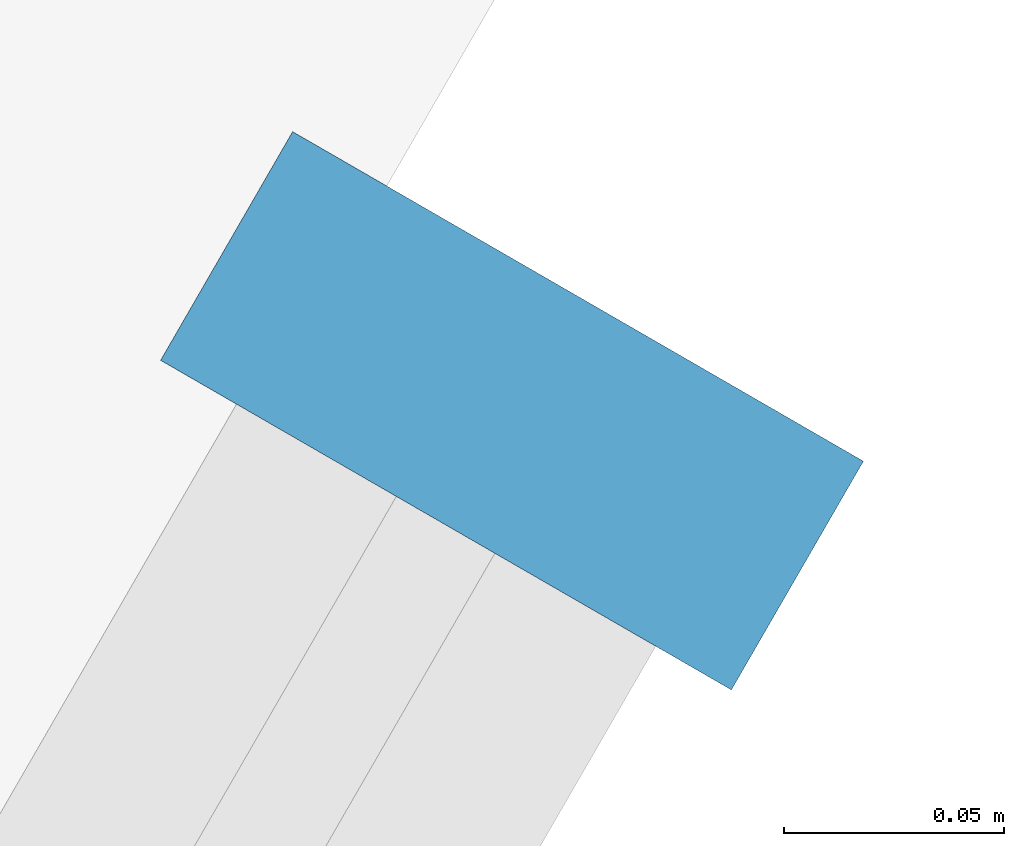
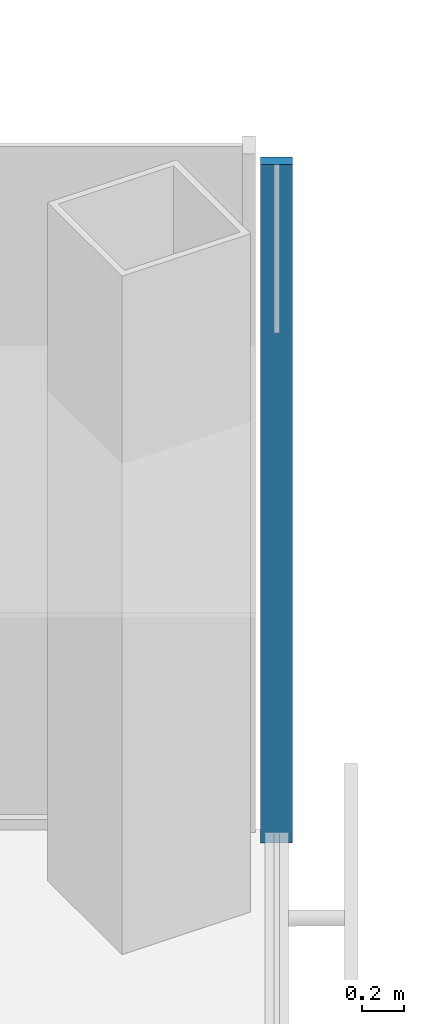
# One storey, part 9 of 18: 1 member, 1 element without a shape of its own.
"""IFC4 building model written with IfcOpenShell, lengths in metres."""

from ifc_helpers import new_model, si_unit, direction, frame, origin, origin_2d, place, context, subcontext, project, spatial, rectangle, extrude, material, material_profile, profile_set, type_object, element, aggregate, save


model = new_model("IFC4")

# Units and contexts
model_context = context("Model", 3, precision=1e-05, world=origin(), true_north=direction((0.0, 1.0)))
body_context = subcontext(model_context, "Body", "Model", "MODEL_VIEW")
ifc_project = project(units=[si_unit("LENGTHUNIT", "METRE"), si_unit("AREAUNIT", "SQUARE_METRE"), si_unit("VOLUMEUNIT", "CUBIC_METRE"), si_unit("PLANEANGLEUNIT", "RADIAN"), si_unit("MASSUNIT", "GRAM", prefix="KILO")], contexts=[model_context])

# Site, building, storey
site_placement = place(None, origin())
site = spatial("IfcSite", under=ifc_project, at=site_placement, CompositionType="ELEMENT")
building_placement = place(site_placement, origin())
building = spatial("IfcBuilding", under=site, at=building_placement, Name="Kasaneha Research Tower", CompositionType="ELEMENT")
storey_placement = place(building_placement, frame((0.0, 0.0, 148.699951171875)))
storey = spatial("IfcBuildingStorey", under=building, at=storey_placement, Name="L37", CompositionType="ELEMENT", Elevation=148.699951171875)

# Curtain wall, member
ifc_material_1 = material(Name="Glass and aluminium", Category="aluminium")
curtain_wall_type = type_object("IfcCurtainWallType", Name="Mid-rise office curtain wall", PredefinedType="USERDEFINED", material=ifc_material_1)
curtain_wall_placement = place(storey_placement, origin())
curtain_wall = element("IfcCurtainWall", 1, at=curtain_wall_placement, inside=storey, type_object=curtain_wall_type, Name="CW-O2 L37 run 04a", ObjectType="UNITISED CURTAIN WALL", PredefinedType="USERDEFINED")
ifc_material_2 = material(Name="Aluminium 6063-T6", Category="aluminium")
ifc_material_profile = material_profile(ifc_material_2, rectangle(XDim=0.06005859375, YDim=0.14990234375, at=origin_2d()), Name="CW-O2 mullion 60x150")
ifc_profile_set = profile_set([ifc_material_profile], Name="Aluminium 6063-T6")
member_type = type_object("IfcMemberType", Name="CW-O2 mullion", PredefinedType="MULLION", material=ifc_profile_set)
member_placement = place(storey_placement, frame((32.012939453125, -6.39306640625, 0.0), z_axis=(0.0, 0.0, 1.0), x_axis=(0.500000011442, 0.866025397178, 0.0)))
member = element("IfcMember", 2, at=member_placement, type_object=member_type, Name="CW-O2 mullion 4", PredefinedType="MULLION", context=body_context, shape_type="SweptSolid", body=[
    extrude(rectangle(XDim=0.06005859375, YDim=0.14990234375, at=origin_2d()), origin(), (0.0, 0.0, 1.0), 3.900146484375),
])
aggregate(curtain_wall, [member])

save(model, "model.ifc")
